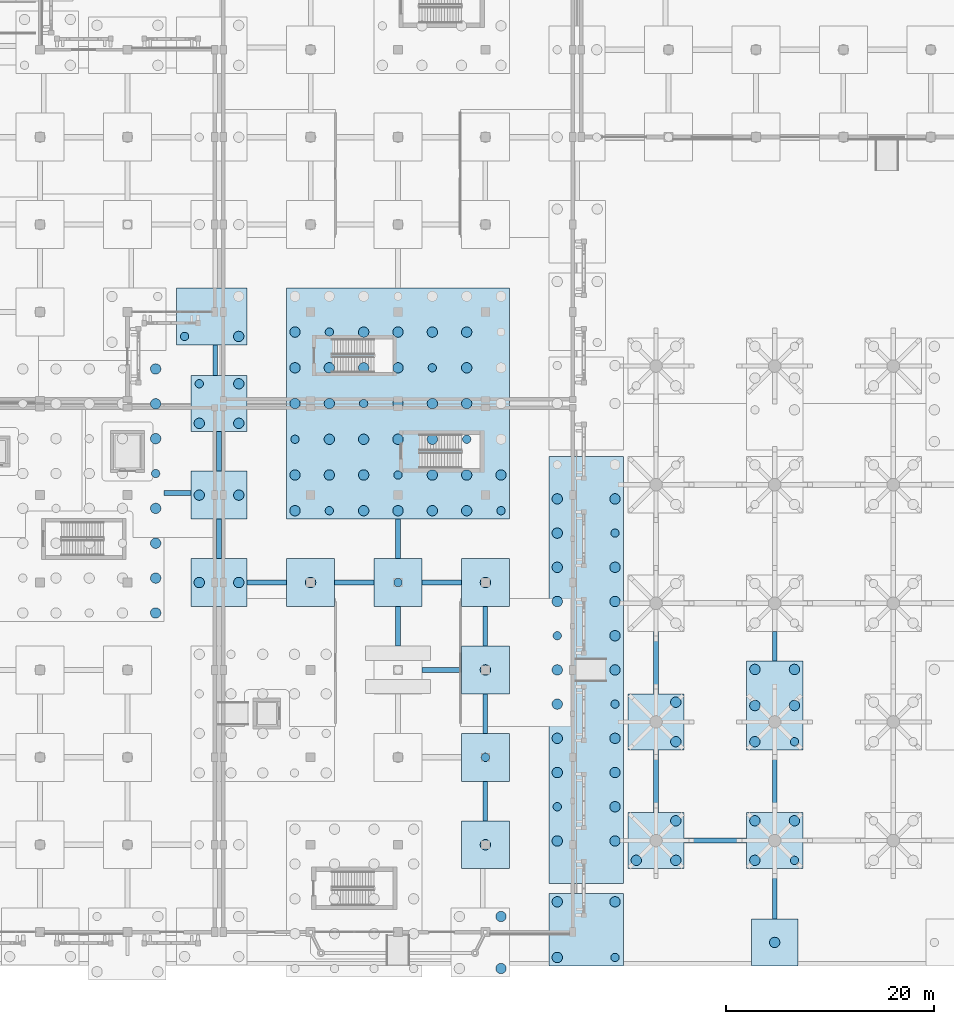
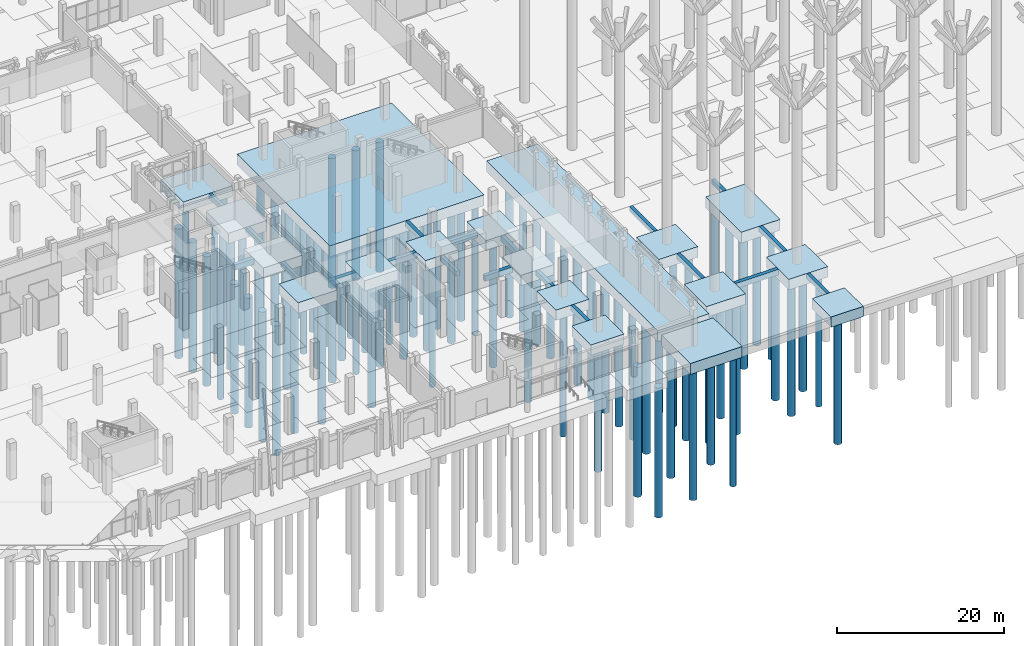
# One storey, part 3 of 98: 106 piles, 37 footings.
"""IFC4 building model written with IfcOpenShell, lengths in metres."""

import ifcopenshell
import ifcopenshell.guid

model = None  # the IFC model being written
_history = None  # IfcOwnerHistory: only IFC2X3 demands one
_inside = {}  # id of a spatial element -> (the spatial element, [elements in it])
_under = {}  # id of a project, library or spatial element -> (it, [spatial elements below it])
_declared = {}  # id of a project -> (the project, [libraries it declares])
_typed = {}  # id of a type object -> (the type object, [elements of that type])
_made_of = {}  # id of a material, layer set ... -> (it, [elements and type objects made of it])


def new_model(schema):
    """Start an empty IFC model of exactly this schema.

    Asked for "IFC4X3", IfcOpenShell would pick the latest addendum, in which some entities
    have other attributes; the version numbers below select the first issue.
    IFC2X3 requires an IfcOwnerHistory on every rooted entity: one is made here for all.
    """
    global model, _history
    if schema == "IFC4X3":
        model = ifcopenshell.file(schema_version=(4, 3, 0, 0))
    else:
        model = ifcopenshell.file(schema=schema)
    _inside.clear()
    _under.clear()
    _declared.clear()
    _typed.clear()
    _made_of.clear()
    _history = None
    if model.schema == "IFC2X3":
        org = make("IfcOrganization", Name="unknown")
        user = make(
            "IfcPersonAndOrganization",
            ThePerson=make("IfcPerson", FamilyName="unknown"),
            TheOrganization=org,
        )
        app = make(
            "IfcApplication",
            ApplicationDeveloper=org,
            Version="unknown",
            ApplicationFullName="unknown",
            ApplicationIdentifier="unknown",
        )
        _history = make(
            "IfcOwnerHistory",
            OwningUser=user,
            OwningApplication=app,
            ChangeAction="ADDED",
            CreationDate=0,
        )
    return model


def make(cls, **values):
    """One entity of the class cls with the attributes given. An attribute that is None is left unset."""
    return model.create_entity(
        cls, **{name: value for name, value in values.items() if value is not None}
    )


def rooted(cls, **values):
    """An entity with a GlobalId (a new one), such as an element, a storey or a relation."""
    return make(cls, GlobalId=ifcopenshell.guid.new(), OwnerHistory=_history, **values)


def si_unit(unit_type, name, prefix=None):
    """IfcSIUnit, for example si_unit("LENGTHUNIT", "METRE", prefix="MILLI")."""
    return make("IfcSIUnit", UnitType=unit_type, Prefix=prefix, Name=name)


def assignment(units):
    """IfcUnitAssignment: the units of a project."""
    return None if units is None else make("IfcUnitAssignment", Units=units)


def point(xyz):
    """IfcCartesianPoint."""
    return None if xyz is None else make("IfcCartesianPoint", Coordinates=xyz)


def direction(xyz):
    """IfcDirection."""
    return None if xyz is None else make("IfcDirection", DirectionRatios=xyz)


def frame(location, z_axis=None, x_axis=None):
    """IfcAxis2Placement3D, a coordinate frame: its origin and axes. An axis left out is left unset."""
    return make(
        "IfcAxis2Placement3D",
        Location=point(location),
        Axis=direction(z_axis),
        RefDirection=direction(x_axis),
    )


def frame_2d(location, x_axis=None):
    """IfcAxis2Placement2D, a coordinate frame in the plane: its origin and x axis."""
    return make(
        "IfcAxis2Placement2D", Location=point(location), RefDirection=direction(x_axis)
    )


def origin():
    """The frame at (0, 0, 0) with its axes left unset."""
    return frame((0.0, 0.0, 0.0))


def origin_2d():
    """The frame at (0, 0) in the plane with its x axis left unset."""
    return frame_2d((0.0, 0.0))


def place(relative_to, where):
    """IfcLocalPlacement: puts the frame where relative to a parent placement (None: the world)."""
    return make(
        "IfcLocalPlacement", PlacementRelTo=relative_to, RelativePlacement=where
    )


def context(
    kind, dimensions, precision=None, world=None, true_north=None, identifier=None
):
    """IfcGeometricRepresentationContext, for example the 3D "Model" context."""
    return make(
        "IfcGeometricRepresentationContext",
        ContextIdentifier=identifier,
        ContextType=kind,
        CoordinateSpaceDimension=dimensions,
        Precision=precision,
        WorldCoordinateSystem=world,
        TrueNorth=true_north,
    )


def subcontext(parent, identifier, kind, view, scale=None):
    """IfcGeometricRepresentationSubContext, for example "Body" below "Model"."""
    return make(
        "IfcGeometricRepresentationSubContext",
        ContextIdentifier=identifier,
        ContextType=kind,
        ParentContext=parent,
        TargetScale=scale,
        TargetView=view,
    )


def project(units=None, contexts=None):
    """IfcProject with its units and contexts."""
    return rooted(
        "IfcProject",
        Name="project",
        RepresentationContexts=contexts,
        UnitsInContext=assignment(units),
    )


def spatial(cls, under=None, at=None, **own):
    """A site, building, storey or space (cls), placed at a placement, below another one or the project."""
    s = rooted(cls, ObjectPlacement=at, **own)
    if under is not None:
        _under.setdefault(under.id(), (under, []))[1].append(s)
    return s


def profile(cls, at=None, kind="AREA", **sizes):
    """A parametric profile (cls). Its sizes go by their IFC names, for example OverallWidth=200.0."""
    return make(cls, ProfileType=kind, Position=at, **sizes)


def rectangle(**sizes):
    """IfcRectangleProfileDef."""
    return profile("IfcRectangleProfileDef", **sizes)


def circle(**sizes):
    """IfcCircleProfileDef."""
    return profile("IfcCircleProfileDef", **sizes)


def extrude(swept, where, along, depth):
    """IfcExtrudedAreaSolid: the profile swept, set in the frame where, extruded along a direction by depth."""
    return make(
        "IfcExtrudedAreaSolid",
        SweptArea=swept,
        Position=where,
        ExtrudedDirection=direction(along),
        Depth=depth,
    )


def shape(context_of_items, identifier, shape_type, items):
    """IfcShapeRepresentation: the items that make up one representation, for example the "Body"."""
    return make(
        "IfcShapeRepresentation",
        ContextOfItems=context_of_items,
        RepresentationIdentifier=identifier,
        RepresentationType=shape_type,
        Items=items,
    )


def material(Name=None, Category=None):
    """IfcMaterial."""
    return make("IfcMaterial", Name=Name, Category=Category)


def material_profile(
    of_material, cross_section, Name=None, Category=None, Priority=None
):
    """IfcMaterialProfile: a cross section and its material."""
    return make(
        "IfcMaterialProfile",
        Name=Name,
        Material=of_material,
        Profile=cross_section,
        Priority=Priority,
        Category=Category,
    )


def profile_set(profiles, Name=None, composite=None):
    """IfcMaterialProfileSet."""
    return make(
        "IfcMaterialProfileSet",
        Name=Name,
        MaterialProfiles=profiles,
        CompositeProfile=composite,
    )


def made_of(thing, what):
    """Note that an element or type object is made of a material, layer set ...; save() writes the relation."""
    if what is not None:
        _made_of.setdefault(what.id(), (what, []))[1].append(thing)
    return thing


def type_object(cls, material=None, **own):
    """A type object (cls), such as IfcWallType, which elements share."""
    return made_of(rooted(cls, **own), material)


def element(
    cls,
    number,
    at=None,
    inside=None,
    cuts=None,
    type_object=None,
    material=None,
    context=None,
    identifier="Body",
    shape_type=None,
    held_by="IfcProductDefinitionShape",
    body=None,
    shapes=None,
    **own,
):
    """One element of the class cls, such as IfcWall. Its Tag is "e" and its number.

    at: its placement. inside: the storey or other place that contains it. cuts: it is an
    opening in that element (IfcRelVoidsElement). A single representation is given by context,
    identifier, shape_type and body (its items); several are given by shapes. held_by: the class
    of the entity that holds the representations. save() writes the other relations.
    """
    e = rooted(cls, Tag="e%d" % number, ObjectPlacement=at, **own)
    if body is not None:
        shapes = [shape(context, identifier, shape_type, body)]
    if shapes is not None:
        e.Representation = make(held_by, Representations=shapes)
    if inside is not None:
        _inside.setdefault(inside.id(), (inside, []))[1].append(e)
    if cuts is not None:
        rooted(
            "IfcRelVoidsElement", RelatingBuildingElement=cuts, RelatedOpeningElement=e
        )
    if type_object is not None:
        _typed.setdefault(type_object.id(), (type_object, []))[1].append(e)
    return made_of(e, material)


def aggregate(whole, parts):
    """IfcRelAggregates: a whole, such as a stair, and the parts it consists of."""
    return rooted("IfcRelAggregates", RelatingObject=whole, RelatedObjects=parts)


def save(model, path):
    """Write the relations noted so far, then the file.

    IfcRelAggregates (storeys below a building ...), IfcRelContainedInSpatialStructure (elements
    in a storey), IfcRelDefinesByType, IfcRelAssociatesMaterial and IfcRelDeclares: one each for
    every whole, place, type object, material and project.
    """
    for whole, parts in _under.values():
        aggregate(whole, parts)
    for where, things in _inside.values():
        rooted(
            "IfcRelContainedInSpatialStructure",
            RelatedElements=things,
            RelatingStructure=where,
        )
    for kind, things in _typed.values():
        rooted("IfcRelDefinesByType", RelatedObjects=things, RelatingType=kind)
    for what, things in _made_of.values():
        rooted("IfcRelAssociatesMaterial", RelatedObjects=things, RelatingMaterial=what)
    for by, libraries in _declared.values():
        rooted("IfcRelDeclares", RelatingContext=by, RelatedDefinitions=libraries)
    model.write(path)


model = new_model("IFC4")

# Units and contexts
model_context = context("Model", 3, precision=1e-05, world=origin(), true_north=direction((0.0, 1.0)))
body_context = subcontext(model_context, "Body", "Model", "MODEL_VIEW")
ifc_project = project(units=[si_unit("LENGTHUNIT", "METRE"), si_unit("AREAUNIT", "SQUARE_METRE"), si_unit("VOLUMEUNIT", "CUBIC_METRE"), si_unit("PLANEANGLEUNIT", "RADIAN"), si_unit("MASSUNIT", "GRAM", prefix="KILO")], contexts=[model_context])

# Site, building, storey
site_placement = place(None, origin())
site = spatial("IfcSite", under=ifc_project, at=site_placement, CompositionType="ELEMENT")
building_placement = place(site_placement, origin())
building = spatial("IfcBuilding", under=site, at=building_placement, Name="Xazarin Passage Department Store", CompositionType="ELEMENT")
storey_placement = place(building_placement, origin())
storey = spatial("IfcBuildingStorey", under=building, at=storey_placement, Name="L00", CompositionType="ELEMENT", Elevation=0.0)

# Footings
ifc_material = material(Name="Concrete C35/45", Category="concrete")
footing_type_1 = type_object("IfcFootingType", Name="STR-CAP-PC10", PredefinedType="PILE_CAP", material=ifc_material)
footing_1_placement = place(storey_placement, frame((102.8798828125, 25.199951171875, -1.60009765625), z_axis=(0.0, 0.0, 1.0), x_axis=(0.0, 1.0, 0.0)))
element("IfcFooting", 1, at=footing_1_placement, inside=storey, type_object=footing_type_1, Name="Pile Cap 018", PredefinedType="PILE_CAP", context=body_context, shape_type="SweptSolid", body=[
    extrude(rectangle(XDim=41.050048828125, YDim=7.14990234375, at=origin_2d()), origin(), (0.0, 0.0, 1.0), 1.60009765625),
])
footing_type_2 = type_object("IfcFootingType", Name="STR-CAP-PC11", PredefinedType="PILE_CAP", material=ifc_material)
for number, where, z_axis, x_axis, name in (
    (2, (93.199951171875, 8.39990234375, -1.5), (0.0, 0.0, 1.0), (1.0, 0.0, 0.0), "Pile Cap 025"),
    (3, (93.199951171875, 16.800048828125, -1.5), (0.0, 0.0, 1.0), (1.0, 0.0, 0.0), "Pile Cap 039"),
    (4, (93.199951171875, 25.199951171875, -1.5), (0.0, 0.0, 1.0), (1.0, 0.0, 0.0), "Pile Cap 055"),
    (5, (76.39990234375, 33.60009765625, -1.5), (0.0, 0.0, 1.0), (1.0, 0.0, 0.0), "Pile Cap 063"),
    (6, (84.800048828125, 33.60009765625, -1.5), (0.0, 0.0, 1.0), (1.0, 0.0, 0.0), "Pile Cap 064"),
    (7, (93.199951171875, 33.60009765625, -1.5), (0.0, 0.0, 1.0), (1.0, 0.0, 0.0), "Pile Cap 065"),
):
    element("IfcFooting", number, at=place(storey_placement, frame(where, z_axis=z_axis, x_axis=x_axis)), inside=storey, type_object=footing_type_2, Name=name, PredefinedType="PILE_CAP", context=body_context, shape_type="SweptSolid", body=[
        extrude(rectangle(XDim=4.60009765625, YDim=4.60009765625, at=origin_2d()), origin(), (0.0, 0.0, 1.0), 1.5),
    ])
footing_type_3 = type_object("IfcFootingType", Name="STR-CAP-PC13", PredefinedType="PILE_CAP", material=ifc_material)
for number, where, z_axis, x_axis, name in (
    (8, (67.60009765625, 33.60009765625, -1.5498046875), (0.0, 0.0, 1.0), (1.0, 0.0, 0.0), "Pile Cap 062"),
    (9, (67.60009765625, 42.0, -1.5498046875), (0.0, 0.0, 1.0), (1.0, 0.0, 0.0), "Pile Cap 066"),
):
    element("IfcFooting", number, at=place(storey_placement, frame(where, z_axis=z_axis, x_axis=x_axis)), inside=storey, type_object=footing_type_3, Name=name, PredefinedType="PILE_CAP", context=body_context, shape_type="SweptSolid", body=[
        extrude(rectangle(XDim=5.39990234375, YDim=4.60009765625, at=origin_2d()), origin(), (0.0, 0.0, 1.0), 1.550048828125),
    ])
footing_type_4 = type_object("IfcFootingType", Name="STR-CAP-PC14", PredefinedType="PILE_CAP", material=ifc_material)
for number, where, z_axis, x_axis, name in (
    (10, (109.60009765625, 8.800048828125, -1.5498046875), (0.0, 0.0, 1.0), (1.0, 0.0, 0.0), "Pile Cap 026"),
    (11, (121.0, 8.800048828125, -1.5498046875), (0.0, 0.0, 1.0), (1.0, 0.0, 0.0), "Pile Cap 027"),
    (12, (109.60009765625, 20.199951171875, -1.5498046875), (0.0, 0.0, 1.0), (1.0, 0.0, 0.0), "Pile Cap 040"),
    (13, (67.60009765625, 50.800048828125, -1.5498046875), (0.0, 0.0, 1.0), (1.0, 0.0, 0.0), "Pile Cap 078"),
):
    element("IfcFooting", number, at=place(storey_placement, frame(where, z_axis=z_axis, x_axis=x_axis)), inside=storey, type_object=footing_type_4, Name=name, PredefinedType="PILE_CAP", context=body_context, shape_type="SweptSolid", body=[
        extrude(rectangle(XDim=5.39990234375, YDim=5.39990234375, at=origin_2d()), origin(), (0.0, 0.0, 1.0), 1.550048828125),
    ])
footing_type_5 = type_object("IfcFootingType", Name="STR-CAP-PC17", PredefinedType="PILE_CAP", material=ifc_material)
footing_2_placement = place(storey_placement, frame((121.0, 21.77490234375, -1.60009765625), z_axis=(0.0, 0.0, 1.0), x_axis=(0.0, 1.0, 0.0)))
element("IfcFooting", 14, at=footing_2_placement, inside=storey, type_object=footing_type_5, Name="Pile Cap 041", PredefinedType="PILE_CAP", context=body_context, shape_type="SweptSolid", body=[
    extrude(rectangle(XDim=8.550048828125, YDim=5.39990234375, at=origin_2d()), origin(), (0.0, 0.0, 1.0), 1.60009765625),
])
footing_type_6 = type_object("IfcFootingType", Name="STR-CAP-PC21", PredefinedType="PILE_CAP", material=ifc_material)
footing_3_placement = place(storey_placement, frame((84.800048828125, 50.800048828125, -1.60009765625), z_axis=(0.0, 0.0, 1.0), x_axis=(0.0, 1.0, 0.0)))
element("IfcFooting", 15, at=footing_3_placement, inside=storey, type_object=footing_type_6, Name="Pile Cap 067", PredefinedType="PILE_CAP", context=body_context, shape_type="SweptSolid", body=[
    extrude(rectangle(XDim=22.199951171875, YDim=21.39990234375, at=origin_2d()), origin(), (0.0, 0.0, 1.0), 1.60009765625),
])
footing_type_7 = type_object("IfcFootingType", Name="STR-CAP-PC4", PredefinedType="PILE_CAP", material=ifc_material)
footing_4_placement = place(storey_placement, frame((121.0, -0.989990234375, -1.5), z_axis=(0.0, 0.0, 1.0), x_axis=(1.0, 0.0, 0.0)))
element("IfcFooting", 16, at=footing_4_placement, inside=storey, type_object=footing_type_7, Name="Pile Cap 008", PredefinedType="PILE_CAP", context=body_context, shape_type="SweptSolid", body=[
    extrude(rectangle(XDim=4.5, YDim=4.5, at=origin_2d()), origin(), (0.0, 0.0, 1.0), 1.5),
])
footing_type_8 = type_object("IfcFootingType", Name="STR-CAP-PC5", PredefinedType="PILE_CAP", material=ifc_material)
footing_5_placement = place(storey_placement, frame((102.8798828125, 0.239990234375, -1.60009765625), z_axis=(0.0, 0.0, 1.0), x_axis=(1.0, 0.0, 0.0)))
element("IfcFooting", 17, at=footing_5_placement, inside=storey, type_object=footing_type_8, Name="Pile Cap 007", PredefinedType="PILE_CAP", context=body_context, shape_type="SweptSolid", body=[
    extrude(rectangle(XDim=7.14990234375, YDim=6.949951171875, at=origin_2d()), origin(), (0.0, 0.0, 1.0), 1.60009765625),
])
footing_type_9 = type_object("IfcFootingType", Name="STR-CAP-PC9", PredefinedType="PILE_CAP", material=ifc_material)
footing_6_placement = place(storey_placement, frame((66.889892578125, 59.175048828125, -1.5498046875), z_axis=(0.0, 0.0, 1.0), x_axis=(1.0, 0.0, 0.0)))
element("IfcFooting", 18, at=footing_6_placement, inside=storey, type_object=footing_type_9, Name="Pile Cap 084", PredefinedType="PILE_CAP", context=body_context, shape_type="SweptSolid", body=[
    extrude(rectangle(XDim=6.800048828125, YDim=5.449951171875, at=origin_2d()), origin(), (0.0, 0.0, 1.0), 1.550048828125),
])
ifc_material_profile_1 = material_profile(ifc_material, rectangle(XDim=0.449951171875, YDim=0.699951171875, at=origin_2d()), Name="RC 450x700")
ifc_profile_set_1 = profile_set([ifc_material_profile_1], Name="Concrete C35/45")
footing_type_10 = type_object("IfcFootingType", Name="STR-FTG-TB450x700", PredefinedType="FOOTING_BEAM", material=ifc_profile_set_1)
footing_7_placement = place(storey_placement, frame((121.0, 1.260009765625, -0.35009765625), z_axis=(0.0, 1.0, 0.0), x_axis=(-1.0, 0.0, 0.0)))
element("IfcFooting", 19, at=footing_7_placement, inside=storey, type_object=footing_type_10, Name="Ground Tie Beam 004", PredefinedType="FOOTING_BEAM", context=body_context, shape_type="SweptSolid", body=[
    extrude(rectangle(XDim=0.449951171875, YDim=0.699951171875, at=origin_2d()), origin(), (0.0, 0.0, 1.0), 4.840087890625),
])
footing_8_placement = place(storey_placement, frame((93.199951171875, 10.699951171875, -0.35009765625), z_axis=(0.0, 1.0, 0.0), x_axis=(-1.0, 0.0, 0.0)))
element("IfcFooting", 20, at=footing_8_placement, inside=storey, type_object=footing_type_10, Name="Ground Tie Beam 016", PredefinedType="FOOTING_BEAM", context=body_context, shape_type="SweptSolid", body=[
    extrude(rectangle(XDim=0.449951171875, YDim=0.699951171875, at=origin_2d()), origin(), (0.0, 0.0, 1.0), 3.800048828125),
])
for number, where, z_axis, x_axis, name in (
    (21, (109.60009765625, 11.5, -0.35009765625), (0.0, 1.0, 0.0), (-1.0, 0.0, 0.0), "Ground Tie Beam 018"),
    (22, (121.0, 11.5, -0.35009765625), (0.0, 1.0, 0.0), (-1.0, 0.0, 0.0), "Ground Tie Beam 020"),
):
    element("IfcFooting", number, at=place(storey_placement, frame(where, z_axis=z_axis, x_axis=x_axis)), inside=storey, type_object=footing_type_10, Name=name, PredefinedType="FOOTING_BEAM", context=body_context, shape_type="SweptSolid", body=[
        extrude(rectangle(XDim=0.449951171875, YDim=0.699951171875, at=origin_2d()), origin(), (0.0, 0.0, 1.0), 6.0),
    ])
footing_9_placement = place(storey_placement, frame((93.199951171875, 19.10009765625, -0.35009765625), z_axis=(0.0, 1.0, 0.0), x_axis=(-1.0, 0.0, 0.0)))
element("IfcFooting", 23, at=footing_9_placement, inside=storey, type_object=footing_type_10, Name="Ground Tie Beam 035", PredefinedType="FOOTING_BEAM", context=body_context, shape_type="SweptSolid", body=[
    extrude(rectangle(XDim=0.449951171875, YDim=0.699951171875, at=origin_2d()), origin(), (0.0, 0.0, 1.0), 3.7998046875),
])
footing_10_placement = place(storey_placement, frame((109.60009765625, 22.89990234375, -0.35009765625), z_axis=(0.0, 1.0, 0.0), x_axis=(-1.0, 0.0, 0.0)))
element("IfcFooting", 24, at=footing_10_placement, inside=storey, type_object=footing_type_10, Name="Ground Tie Beam 036", PredefinedType="FOOTING_BEAM", context=body_context, shape_type="SweptSolid", body=[
    extrude(rectangle(XDim=0.449951171875, YDim=0.699951171875, at=origin_2d()), origin(), (0.0, 0.0, 1.0), 6.0),
])
footing_11_placement = place(storey_placement, frame((121.0, 26.050048828125, -0.35009765625), z_axis=(0.0, 1.0, 0.0), x_axis=(-1.0, 0.0, 0.0)))
element("IfcFooting", 25, at=footing_11_placement, inside=storey, type_object=footing_type_10, Name="Ground Tie Beam 037", PredefinedType="FOOTING_BEAM", context=body_context, shape_type="SweptSolid", body=[
    extrude(rectangle(XDim=0.449951171875, YDim=0.699951171875, at=origin_2d()), origin(), (0.0, 0.0, 1.0), 2.849853515625),
])
for number, where, z_axis, x_axis, name in (
    (26, (84.800048828125, 27.5, -0.35009765625), (0.0, 1.0, 0.0), (-1.0, 0.0, 0.0), "Ground Tie Beam 049"),
    (27, (93.199951171875, 27.5, -0.35009765625), (0.0, 1.0, 0.0), (-1.0, 0.0, 0.0), "Ground Tie Beam 050"),
    (28, (67.60009765625, 35.89990234375, -0.35009765625), (0.0, 1.0, 0.0), (-1.0, 0.0, 0.0), "Ground Tie Beam 062"),
    (29, (84.800048828125, 35.89990234375, -0.35009765625), (0.0, 1.0, 0.0), (-1.0, 0.0, 0.0), "Ground Tie Beam 065"),
    (30, (67.60009765625, 44.300048828125, -0.35009765625), (0.0, 1.0, 0.0), (-1.0, 0.0, 0.0), "Ground Tie Beam 066"),
):
    element("IfcFooting", number, at=place(storey_placement, frame(where, z_axis=z_axis, x_axis=x_axis)), inside=storey, type_object=footing_type_10, Name=name, PredefinedType="FOOTING_BEAM", context=body_context, shape_type="SweptSolid", body=[
        extrude(rectangle(XDim=0.449951171875, YDim=0.699951171875, at=origin_2d()), origin(), (0.0, 0.0, 1.0), 3.800048828125),
    ])
footing_12_placement = place(storey_placement, frame((67.2451171875, 53.5, -0.35009765625), z_axis=(0.0, 1.0, 0.0), x_axis=(-1.0, 0.0, 0.0)))
element("IfcFooting", 31, at=footing_12_placement, inside=storey, type_object=footing_type_10, Name="Ground Tie Beam 076", PredefinedType="FOOTING_BEAM", context=body_context, shape_type="SweptSolid", body=[
    extrude(rectangle(XDim=0.449951171875, YDim=0.699951171875, at=origin_2d()), origin(), (0.0, 0.0, 1.0), 2.949951171875),
])
ifc_material_profile_2 = material_profile(ifc_material, rectangle(XDim=0.5, YDim=0.800048828125, at=origin_2d()), Name="RC 500x800")
ifc_profile_set_2 = profile_set([ifc_material_profile_2], Name="Concrete C35/45")
footing_type_11 = type_object("IfcFootingType", Name="STR-FTG-TB500x800", PredefinedType="FOOTING_BEAM", material=ifc_profile_set_2)
footing_13_placement = place(storey_placement, frame((112.300048828125, 8.800048828125, -0.39990234375), z_axis=(1.0, 0.0, 0.0), x_axis=(0.0, 1.0, 0.0)))
element("IfcFooting", 32, at=footing_13_placement, inside=storey, type_object=footing_type_11, Name="Ground Tie Beam 017", PredefinedType="FOOTING_BEAM", context=body_context, shape_type="SweptSolid", body=[
    extrude(rectangle(XDim=0.5, YDim=0.800048828125, at=origin_2d()), origin(), (0.0, 0.0, 1.0), 6.0),
])
footing_14_placement = place(storey_placement, frame((87.10009765625, 25.199951171875, -0.39990234375), z_axis=(1.0, 0.0, 0.0), x_axis=(0.0, 1.0, 0.0)))
element("IfcFooting", 33, at=footing_14_placement, inside=storey, type_object=footing_type_11, Name="Ground Tie Beam 048", PredefinedType="FOOTING_BEAM", context=body_context, shape_type="SweptSolid", body=[
    extrude(rectangle(XDim=0.5, YDim=0.800048828125, at=origin_2d()), origin(), (0.0, 0.0, 1.0), 3.7998046875),
])
footing_15_placement = place(storey_placement, frame((62.31005859375, 42.199951171875, -0.39990234375), z_axis=(1.0, 0.0, 0.0), x_axis=(0.0, 1.0, 0.0)))
element("IfcFooting", 34, at=footing_15_placement, inside=storey, type_object=footing_type_11, Name="Ground Tie Beam 060", PredefinedType="FOOTING_BEAM", context=body_context, shape_type="SweptSolid", body=[
    extrude(rectangle(XDim=0.5, YDim=0.800048828125, at=origin_2d()), origin(), (0.0, 0.0, 1.0), 2.58984375),
])
for number, where, z_axis, x_axis, name in (
    (35, (70.300048828125, 33.60009765625, -0.39990234375), (1.0, 0.0, 0.0), (0.0, 1.0, 0.0), "Ground Tie Beam 061"),
    (36, (78.699951171875, 33.60009765625, -0.39990234375), (1.0, 0.0, 0.0), (0.0, 1.0, 0.0), "Ground Tie Beam 063"),
):
    element("IfcFooting", number, at=place(storey_placement, frame(where, z_axis=z_axis, x_axis=x_axis)), inside=storey, type_object=footing_type_11, Name=name, PredefinedType="FOOTING_BEAM", context=body_context, shape_type="SweptSolid", body=[
        extrude(rectangle(XDim=0.5, YDim=0.800048828125, at=origin_2d()), origin(), (0.0, 0.0, 1.0), 3.800048828125),
    ])
footing_16_placement = place(storey_placement, frame((87.10009765625, 33.60009765625, -0.39990234375), z_axis=(1.0, 0.0, 0.0), x_axis=(0.0, 1.0, 0.0)))
element("IfcFooting", 37, at=footing_16_placement, inside=storey, type_object=footing_type_11, Name="Ground Tie Beam 064", PredefinedType="FOOTING_BEAM", context=body_context, shape_type="SweptSolid", body=[
    extrude(rectangle(XDim=0.5, YDim=0.800048828125, at=origin_2d()), origin(), (0.0, 0.0, 1.0), 3.7998046875),
])

# Piles
ifc_material_profile_3 = material_profile(ifc_material, circle(Radius=0.5, at=origin_2d()), Name="BP 1000")
ifc_profile_set_3 = profile_set([ifc_material_profile_3], Name="Concrete C35/45")
pile_type_1 = type_object("IfcPileType", Name="STR-PIL-BP1000", PredefinedType="BORED", material=ifc_profile_set_3)
for number, where, z_axis, x_axis, name in (
    (38, (94.699951171875, -3.5, -1.449951171875), (0.0, 0.0, -1.0), (1.0, 0.0, 0.0), "Bored Pile 005-3"),
    (39, (94.699951171875, 1.5, -1.449951171875), (0.0, 0.0, -1.0), (1.0, 0.0, 0.0), "Bored Pile 005-4"),
):
    element("IfcPile", number, at=place(storey_placement, frame(where, z_axis=z_axis, x_axis=x_axis)), inside=storey, type_object=pile_type_1, Name=name, PredefinedType="BORED", context=body_context, shape_type="SweptSolid", body=[
        extrude(circle(Radius=0.5, at=origin_2d()), origin(), (0.0, 0.0, 1.0), 19.050048828125),
    ])
for number, where, z_axis, x_axis, name in (
    (40, (100.10498046875, -2.43505859375, -1.5), (0.0, 0.0, -1.0), (1.0, 0.0, 0.0), "Bored Pile 007-1"),
    (41, (100.10498046875, 2.9150390625, -1.5), (0.0, 0.0, -1.0), (1.0, 0.0, 0.0), "Bored Pile 007-2"),
    (42, (105.655029296875, 2.9150390625, -1.5), (0.0, 0.0, -1.0), (1.0, 0.0, 0.0), "Bored Pile 007-4"),
):
    element("IfcPile", number, at=place(storey_placement, frame(where, z_axis=z_axis, x_axis=x_axis)), inside=storey, type_object=pile_type_1, Name=name, PredefinedType="BORED", context=body_context, shape_type="SweptSolid", body=[
        extrude(circle(Radius=0.5, at=origin_2d()), origin(), (0.0, 0.0, 1.0), 19.0),
    ])
pile_1_placement = place(storey_placement, frame((121.0, -0.989990234375, -1.39990234375), z_axis=(0.0, 0.0, -1.0), x_axis=(1.0, 0.0, 0.0)))
element("IfcPile", 43, at=pile_1_placement, inside=storey, type_object=pile_type_1, Name="Bored Pile 008-1", PredefinedType="BORED", context=body_context, shape_type="SweptSolid", body=[
    extrude(circle(Radius=0.5, at=origin_2d()), origin(), (0.0, 0.0, 1.0), 19.10009765625),
])
for number, where, z_axis, x_axis, name in (
    (44, (100.10498046875, 8.762451171875, -1.5), (0.0, 0.0, -1.0), (1.0, 0.0, 0.0), "Bored Pile 018-1"),
    (45, (100.10498046875, 15.33740234375, -1.5), (0.0, 0.0, -1.0), (1.0, 0.0, 0.0), "Bored Pile 018-3"),
    (46, (100.10498046875, 18.625, -1.5), (0.0, 0.0, -1.0), (1.0, 0.0, 0.0), "Bored Pile 018-4"),
    (47, (100.10498046875, 21.91259765625, -1.5), (0.0, 0.0, -1.0), (1.0, 0.0, 0.0), "Bored Pile 018-5"),
    (48, (100.10498046875, 25.199951171875, -1.5), (0.0, 0.0, -1.0), (1.0, 0.0, 0.0), "Bored Pile 018-6"),
    (49, (100.10498046875, 31.77490234375, -1.5), (0.0, 0.0, -1.0), (1.0, 0.0, 0.0), "Bored Pile 018-8"),
    (50, (100.10498046875, 35.0625, -1.5), (0.0, 0.0, -1.0), (1.0, 0.0, 0.0), "Bored Pile 018-9"),
    (51, (100.10498046875, 38.35009765625, -1.5), (0.0, 0.0, -1.0), (1.0, 0.0, 0.0), "Bored Pile 018-10"),
    (52, (100.10498046875, 41.637451171875, -1.5), (0.0, 0.0, -1.0), (1.0, 0.0, 0.0), "Bored Pile 018-11"),
    (53, (105.655029296875, 8.762451171875, -1.5), (0.0, 0.0, -1.0), (1.0, 0.0, 0.0), "Bored Pile 018-13"),
    (54, (105.655029296875, 12.050048828125, -1.5), (0.0, 0.0, -1.0), (1.0, 0.0, 0.0), "Bored Pile 018-14"),
    (55, (105.655029296875, 15.33740234375, -1.5), (0.0, 0.0, -1.0), (1.0, 0.0, 0.0), "Bored Pile 018-15"),
    (56, (105.655029296875, 18.625, -1.5), (0.0, 0.0, -1.0), (1.0, 0.0, 0.0), "Bored Pile 018-16"),
    (57, (105.655029296875, 25.199951171875, -1.5), (0.0, 0.0, -1.0), (1.0, 0.0, 0.0), "Bored Pile 018-18"),
    (58, (105.655029296875, 28.487548828125, -1.5), (0.0, 0.0, -1.0), (1.0, 0.0, 0.0), "Bored Pile 018-19"),
    (59, (105.655029296875, 31.77490234375, -1.5), (0.0, 0.0, -1.0), (1.0, 0.0, 0.0), "Bored Pile 018-20"),
    (60, (105.655029296875, 35.0625, -1.5), (0.0, 0.0, -1.0), (1.0, 0.0, 0.0), "Bored Pile 018-21"),
    (61, (105.655029296875, 41.637451171875, -1.5), (0.0, 0.0, -1.0), (1.0, 0.0, 0.0), "Bored Pile 018-23"),
):
    element("IfcPile", number, at=place(storey_placement, frame(where, z_axis=z_axis, x_axis=x_axis)), inside=storey, type_object=pile_type_1, Name=name, PredefinedType="BORED", context=body_context, shape_type="SweptSolid", body=[
        extrude(circle(Radius=0.5, at=origin_2d()), origin(), (0.0, 0.0, 1.0), 19.0),
    ])
pile_2_placement = place(storey_placement, frame((93.199951171875, 8.39990234375, -1.39990234375), z_axis=(0.0, 0.0, -1.0), x_axis=(1.0, 0.0, 0.0)))
element("IfcPile", 62, at=pile_2_placement, inside=storey, type_object=pile_type_1, Name="Bored Pile 025-1", PredefinedType="BORED", context=body_context, shape_type="SweptSolid", body=[
    extrude(circle(Radius=0.5, at=origin_2d()), origin(), (0.0, 0.0, 1.0), 19.10009765625),
])
for number, where, z_axis, x_axis, name in (
    (63, (107.699951171875, 6.89990234375, -1.449951171875), (0.0, 0.0, -1.0), (1.0, 0.0, 0.0), "Bored Pile 026-1"),
    (64, (111.5, 6.89990234375, -1.449951171875), (0.0, 0.0, -1.0), (1.0, 0.0, 0.0), "Bored Pile 026-2"),
    (65, (111.5, 10.699951171875, -1.449951171875), (0.0, 0.0, -1.0), (1.0, 0.0, 0.0), "Bored Pile 026-3"),
    (66, (119.10009765625, 6.89990234375, -1.449951171875), (0.0, 0.0, -1.0), (1.0, 0.0, 0.0), "Bored Pile 027-1"),
    (67, (119.10009765625, 10.699951171875, -1.449951171875), (0.0, 0.0, -1.0), (1.0, 0.0, 0.0), "Bored Pile 027-2"),
    (68, (122.89990234375, 10.699951171875, -1.449951171875), (0.0, 0.0, -1.0), (1.0, 0.0, 0.0), "Bored Pile 027-4"),
    (69, (111.5, 18.300048828125, -1.449951171875), (0.0, 0.0, -1.0), (1.0, 0.0, 0.0), "Bored Pile 040-1"),
    (70, (111.5, 22.10009765625, -1.449951171875), (0.0, 0.0, -1.0), (1.0, 0.0, 0.0), "Bored Pile 040-2"),
):
    element("IfcPile", number, at=place(storey_placement, frame(where, z_axis=z_axis, x_axis=x_axis)), inside=storey, type_object=pile_type_1, Name=name, PredefinedType="BORED", context=body_context, shape_type="SweptSolid", body=[
        extrude(circle(Radius=0.5, at=origin_2d()), origin(), (0.0, 0.0, 1.0), 19.050048828125),
    ])
for number, where, z_axis, x_axis, name in (
    (71, (119.10009765625, 18.300048828125, -1.5), (0.0, 0.0, -1.0), (1.0, 0.0, 0.0), "Bored Pile 041-1"),
    (72, (119.10009765625, 21.77490234375, -1.5), (0.0, 0.0, -1.0), (1.0, 0.0, 0.0), "Bored Pile 041-2"),
    (73, (119.10009765625, 25.25, -1.5), (0.0, 0.0, -1.0), (1.0, 0.0, 0.0), "Bored Pile 041-3"),
    (74, (122.89990234375, 21.77490234375, -1.5), (0.0, 0.0, -1.0), (1.0, 0.0, 0.0), "Bored Pile 041-5"),
    (75, (122.89990234375, 25.25, -1.5), (0.0, 0.0, -1.0), (1.0, 0.0, 0.0), "Bored Pile 041-6"),
):
    element("IfcPile", number, at=place(storey_placement, frame(where, z_axis=z_axis, x_axis=x_axis)), inside=storey, type_object=pile_type_1, Name=name, PredefinedType="BORED", context=body_context, shape_type="SweptSolid", body=[
        extrude(circle(Radius=0.5, at=origin_2d()), origin(), (0.0, 0.0, 1.0), 19.0),
    ])
pile_3_placement = place(storey_placement, frame((93.199951171875, 25.199951171875, -1.39990234375), z_axis=(0.0, 0.0, -1.0), x_axis=(1.0, 0.0, 0.0)))
element("IfcPile", 76, at=pile_3_placement, inside=storey, type_object=pile_type_1, Name="Bored Pile 055-1", PredefinedType="BORED", context=body_context, shape_type="SweptSolid", body=[
    extrude(circle(Radius=0.5, at=origin_2d()), origin(), (0.0, 0.0, 1.0), 19.10009765625),
])
for number, where, z_axis, x_axis, name in (
    (77, (61.510009765625, 30.675048828125, -1.5), (0.0, 0.0, -1.0), (1.0, 0.0, 0.0), "Bored Pile 061-160"),
    (78, (61.510009765625, 34.02490234375, -1.5), (0.0, 0.0, -1.0), (1.0, 0.0, 0.0), "Bored Pile 061-161"),
    (79, (61.510009765625, 37.375, -1.5), (0.0, 0.0, -1.0), (1.0, 0.0, 0.0), "Bored Pile 061-162"),
    (80, (61.510009765625, 40.72509765625, -1.5), (0.0, 0.0, -1.0), (1.0, 0.0, 0.0), "Bored Pile 061-163"),
    (81, (61.510009765625, 47.425048828125, -1.5), (0.0, 0.0, -1.0), (1.0, 0.0, 0.0), "Bored Pile 061-165"),
    (82, (61.510009765625, 50.77490234375, -1.5), (0.0, 0.0, -1.0), (1.0, 0.0, 0.0), "Bored Pile 061-166"),
    (83, (61.510009765625, 54.125, -1.5), (0.0, 0.0, -1.0), (1.0, 0.0, 0.0), "Bored Pile 061-167"),
):
    element("IfcPile", number, at=place(storey_placement, frame(where, z_axis=z_axis, x_axis=x_axis)), inside=storey, type_object=pile_type_1, Name=name, PredefinedType="BORED", context=body_context, shape_type="SweptSolid", body=[
        extrude(circle(Radius=0.5, at=origin_2d()), origin(), (0.0, 0.0, 1.0), 19.0),
    ])
for number, where, z_axis, x_axis, name in (
    (84, (65.699951171875, 33.60009765625, -1.449951171875), (0.0, 0.0, -1.0), (1.0, 0.0, 0.0), "Bored Pile 062-1"),
    (85, (69.5, 33.60009765625, -1.449951171875), (0.0, 0.0, -1.0), (1.0, 0.0, 0.0), "Bored Pile 062-2"),
):
    element("IfcPile", number, at=place(storey_placement, frame(where, z_axis=z_axis, x_axis=x_axis)), inside=storey, type_object=pile_type_1, Name=name, PredefinedType="BORED", context=body_context, shape_type="SweptSolid", body=[
        extrude(circle(Radius=0.5, at=origin_2d()), origin(), (0.0, 0.0, 1.0), 19.050048828125),
    ])
for number, where, z_axis, x_axis, name in (
    (86, (76.39990234375, 33.60009765625, -1.39990234375), (0.0, 0.0, -1.0), (1.0, 0.0, 0.0), "Bored Pile 063-1"),
    (87, (93.199951171875, 33.60009765625, -1.39990234375), (0.0, 0.0, -1.0), (1.0, 0.0, 0.0), "Bored Pile 065-1"),
):
    element("IfcPile", number, at=place(storey_placement, frame(where, z_axis=z_axis, x_axis=x_axis)), inside=storey, type_object=pile_type_1, Name=name, PredefinedType="BORED", context=body_context, shape_type="SweptSolid", body=[
        extrude(circle(Radius=0.5, at=origin_2d()), origin(), (0.0, 0.0, 1.0), 19.10009765625),
    ])
for number, where, z_axis, x_axis, name in (
    (88, (65.699951171875, 42.0, -1.449951171875), (0.0, 0.0, -1.0), (1.0, 0.0, 0.0), "Bored Pile 066-1"),
    (89, (69.5, 42.0, -1.449951171875), (0.0, 0.0, -1.0), (1.0, 0.0, 0.0), "Bored Pile 066-2"),
):
    element("IfcPile", number, at=place(storey_placement, frame(where, z_axis=z_axis, x_axis=x_axis)), inside=storey, type_object=pile_type_1, Name=name, PredefinedType="BORED", context=body_context, shape_type="SweptSolid", body=[
        extrude(circle(Radius=0.5, at=origin_2d()), origin(), (0.0, 0.0, 1.0), 19.050048828125),
    ])
for number, where, z_axis, x_axis, name in (
    (90, (74.89990234375, 40.5, -1.5), (0.0, 0.0, -1.0), (1.0, 0.0, 0.0), "Bored Pile 067-1"),
    (91, (74.89990234375, 43.933349609375, -1.5), (0.0, 0.0, -1.0), (1.0, 0.0, 0.0), "Bored Pile 067-2"),
    (92, (74.89990234375, 50.800048828125, -1.5), (0.0, 0.0, -1.0), (1.0, 0.0, 0.0), "Bored Pile 067-4"),
    (93, (74.89990234375, 54.2333984375, -1.5), (0.0, 0.0, -1.0), (1.0, 0.0, 0.0), "Bored Pile 067-5"),
    (94, (74.89990234375, 57.666748046875, -1.5), (0.0, 0.0, -1.0), (1.0, 0.0, 0.0), "Bored Pile 067-6"),
    (95, (78.199951171875, 43.933349609375, -1.5), (0.0, 0.0, -1.0), (1.0, 0.0, 0.0), "Bored Pile 067-9"),
    (96, (78.199951171875, 47.36669921875, -1.5), (0.0, 0.0, -1.0), (1.0, 0.0, 0.0), "Bored Pile 067-10"),
    (97, (78.199951171875, 50.800048828125, -1.5), (0.0, 0.0, -1.0), (1.0, 0.0, 0.0), "Bored Pile 067-11"),
    (98, (78.199951171875, 54.2333984375, -1.5), (0.0, 0.0, -1.0), (1.0, 0.0, 0.0), "Bored Pile 067-12"),
    (99, (81.5, 40.5, -1.5), (0.0, 0.0, -1.0), (1.0, 0.0, 0.0), "Bored Pile 067-15"),
    (100, (81.5, 43.933349609375, -1.5), (0.0, 0.0, -1.0), (1.0, 0.0, 0.0), "Bored Pile 067-16"),
    (101, (81.5, 47.36669921875, -1.5), (0.0, 0.0, -1.0), (1.0, 0.0, 0.0), "Bored Pile 067-17"),
    (102, (81.5, 54.2333984375, -1.5), (0.0, 0.0, -1.0), (1.0, 0.0, 0.0), "Bored Pile 067-19"),
    (103, (81.5, 57.666748046875, -1.5), (0.0, 0.0, -1.0), (1.0, 0.0, 0.0), "Bored Pile 067-20"),
    (104, (84.800048828125, 40.5, -1.5), (0.0, 0.0, -1.0), (1.0, 0.0, 0.0), "Bored Pile 067-22"),
    (105, (84.800048828125, 47.36669921875, -1.5), (0.0, 0.0, -1.0), (1.0, 0.0, 0.0), "Bored Pile 067-24"),
    (106, (84.800048828125, 50.800048828125, -1.5), (0.0, 0.0, -1.0), (1.0, 0.0, 0.0), "Bored Pile 067-25"),
    (107, (84.800048828125, 54.2333984375, -1.5), (0.0, 0.0, -1.0), (1.0, 0.0, 0.0), "Bored Pile 067-26"),
    (108, (84.800048828125, 57.666748046875, -1.5), (0.0, 0.0, -1.0), (1.0, 0.0, 0.0), "Bored Pile 067-27"),
    (109, (88.10009765625, 40.5, -1.5), (0.0, 0.0, -1.0), (1.0, 0.0, 0.0), "Bored Pile 067-29"),
    (110, (88.10009765625, 43.933349609375, -1.5), (0.0, 0.0, -1.0), (1.0, 0.0, 0.0), "Bored Pile 067-30"),
    (111, (88.10009765625, 47.36669921875, -1.5), (0.0, 0.0, -1.0), (1.0, 0.0, 0.0), "Bored Pile 067-31"),
    (112, (88.10009765625, 50.800048828125, -1.5), (0.0, 0.0, -1.0), (1.0, 0.0, 0.0), "Bored Pile 067-32"),
    (113, (88.10009765625, 57.666748046875, -1.5), (0.0, 0.0, -1.0), (1.0, 0.0, 0.0), "Bored Pile 067-34"),
    (114, (91.39990234375, 40.5, -1.5), (0.0, 0.0, -1.0), (1.0, 0.0, 0.0), "Bored Pile 067-36"),
    (115, (91.39990234375, 43.933349609375, -1.5), (0.0, 0.0, -1.0), (1.0, 0.0, 0.0), "Bored Pile 067-37"),
    (116, (91.39990234375, 50.800048828125, -1.5), (0.0, 0.0, -1.0), (1.0, 0.0, 0.0), "Bored Pile 067-39"),
    (117, (91.39990234375, 54.2333984375, -1.5), (0.0, 0.0, -1.0), (1.0, 0.0, 0.0), "Bored Pile 067-40"),
    (118, (91.39990234375, 57.666748046875, -1.5), (0.0, 0.0, -1.0), (1.0, 0.0, 0.0), "Bored Pile 067-41"),
    (119, (94.699951171875, 43.933349609375, -1.5), (0.0, 0.0, -1.0), (1.0, 0.0, 0.0), "Bored Pile 067-44"),
):
    element("IfcPile", number, at=place(storey_placement, frame(where, z_axis=z_axis, x_axis=x_axis)), inside=storey, type_object=pile_type_1, Name=name, PredefinedType="BORED", context=body_context, shape_type="SweptSolid", body=[
        extrude(circle(Radius=0.5, at=origin_2d()), origin(), (0.0, 0.0, 1.0), 19.0),
    ])
for number, where, z_axis, x_axis, name in (
    (120, (65.699951171875, 48.89990234375, -1.449951171875), (0.0, 0.0, -1.0), (1.0, 0.0, 0.0), "Bored Pile 078-1"),
    (121, (69.5, 48.89990234375, -1.449951171875), (0.0, 0.0, -1.0), (1.0, 0.0, 0.0), "Bored Pile 078-3"),
    (122, (69.5, 52.699951171875, -1.449951171875), (0.0, 0.0, -1.0), (1.0, 0.0, 0.0), "Bored Pile 078-4"),
    (123, (69.489990234375, 57.25, -1.449951171875), (0.0, 0.0, -1.0), (1.0, 0.0, 0.0), "Bored Pile 084-2"),
):
    element("IfcPile", number, at=place(storey_placement, frame(where, z_axis=z_axis, x_axis=x_axis)), inside=storey, type_object=pile_type_1, Name=name, PredefinedType="BORED", context=body_context, shape_type="SweptSolid", body=[
        extrude(circle(Radius=0.5, at=origin_2d()), origin(), (0.0, 0.0, 1.0), 19.050048828125),
    ])
ifc_material_profile_4 = material_profile(ifc_material, circle(Radius=0.39990234375, at=origin_2d()), Name="BP 800")
ifc_profile_set_4 = profile_set([ifc_material_profile_4], Name="Concrete C35/45")
pile_type_2 = type_object("IfcPileType", Name="STR-PIL-BP800", PredefinedType="BORED", material=ifc_profile_set_4)
for number, where, z_axis, x_axis, name in (
    (124, (105.655029296875, -2.43505859375, -1.5), (0.0, 0.0, -1.0), (1.0, 0.0, 0.0), "Bored Pile 007-3"),
    (125, (100.10498046875, 12.050048828125, -1.5), (0.0, 0.0, -1.0), (1.0, 0.0, 0.0), "Bored Pile 018-2"),
    (126, (100.10498046875, 28.487548828125, -1.5), (0.0, 0.0, -1.0), (1.0, 0.0, 0.0), "Bored Pile 018-7"),
    (127, (105.655029296875, 21.91259765625, -1.5), (0.0, 0.0, -1.0), (1.0, 0.0, 0.0), "Bored Pile 018-17"),
    (128, (105.655029296875, 38.35009765625, -1.5), (0.0, 0.0, -1.0), (1.0, 0.0, 0.0), "Bored Pile 018-22"),
):
    element("IfcPile", number, at=place(storey_placement, frame(where, z_axis=z_axis, x_axis=x_axis)), inside=storey, type_object=pile_type_2, Name=name, PredefinedType="BORED", context=body_context, shape_type="SweptSolid", body=[
        extrude(circle(Radius=0.39990234375, at=origin_2d()), origin(), (0.0, 0.0, 1.0), 19.0),
    ])
pile_4_placement = place(storey_placement, frame((122.89990234375, 6.89990234375, -1.449951171875), z_axis=(0.0, 0.0, -1.0), x_axis=(1.0, 0.0, 0.0)))
element("IfcPile", 129, at=pile_4_placement, inside=storey, type_object=pile_type_2, Name="Bored Pile 027-3", PredefinedType="BORED", context=body_context, shape_type="SweptSolid", body=[
    extrude(circle(Radius=0.39990234375, at=origin_2d()), origin(), (0.0, 0.0, 1.0), 19.050048828125),
])
pile_5_placement = place(storey_placement, frame((93.199951171875, 16.800048828125, -1.39990234375), z_axis=(0.0, 0.0, -1.0), x_axis=(1.0, 0.0, 0.0)))
element("IfcPile", 130, at=pile_5_placement, inside=storey, type_object=pile_type_2, Name="Bored Pile 039-1", PredefinedType="BORED", context=body_context, shape_type="SweptSolid", body=[
    extrude(circle(Radius=0.39990234375, at=origin_2d()), origin(), (0.0, 0.0, 1.0), 19.10009765625),
])
for number, where, z_axis, x_axis, name in (
    (131, (122.89990234375, 18.300048828125, -1.5), (0.0, 0.0, -1.0), (1.0, 0.0, 0.0), "Bored Pile 041-4"),
    (132, (61.510009765625, 44.074951171875, -1.5), (0.0, 0.0, -1.0), (1.0, 0.0, 0.0), "Bored Pile 061-164"),
):
    element("IfcPile", number, at=place(storey_placement, frame(where, z_axis=z_axis, x_axis=x_axis)), inside=storey, type_object=pile_type_2, Name=name, PredefinedType="BORED", context=body_context, shape_type="SweptSolid", body=[
        extrude(circle(Radius=0.39990234375, at=origin_2d()), origin(), (0.0, 0.0, 1.0), 19.0),
    ])
pile_6_placement = place(storey_placement, frame((84.800048828125, 33.60009765625, -1.39990234375), z_axis=(0.0, 0.0, -1.0), x_axis=(1.0, 0.0, 0.0)))
element("IfcPile", 133, at=pile_6_placement, inside=storey, type_object=pile_type_2, Name="Bored Pile 064-1", PredefinedType="BORED", context=body_context, shape_type="SweptSolid", body=[
    extrude(circle(Radius=0.39990234375, at=origin_2d()), origin(), (0.0, 0.0, 1.0), 19.10009765625),
])
for number, where, z_axis, x_axis, name in (
    (134, (74.89990234375, 47.36669921875, -1.5), (0.0, 0.0, -1.0), (1.0, 0.0, 0.0), "Bored Pile 067-3"),
    (135, (78.199951171875, 40.5, -1.5), (0.0, 0.0, -1.0), (1.0, 0.0, 0.0), "Bored Pile 067-8"),
    (136, (78.199951171875, 57.666748046875, -1.5), (0.0, 0.0, -1.0), (1.0, 0.0, 0.0), "Bored Pile 067-13"),
    (137, (81.5, 50.800048828125, -1.5), (0.0, 0.0, -1.0), (1.0, 0.0, 0.0), "Bored Pile 067-18"),
    (138, (84.800048828125, 43.933349609375, -1.5), (0.0, 0.0, -1.0), (1.0, 0.0, 0.0), "Bored Pile 067-23"),
    (139, (88.10009765625, 54.2333984375, -1.5), (0.0, 0.0, -1.0), (1.0, 0.0, 0.0), "Bored Pile 067-33"),
    (140, (91.39990234375, 47.36669921875, -1.5), (0.0, 0.0, -1.0), (1.0, 0.0, 0.0), "Bored Pile 067-38"),
    (141, (94.699951171875, 40.5, -1.5), (0.0, 0.0, -1.0), (1.0, 0.0, 0.0), "Bored Pile 067-43"),
):
    element("IfcPile", number, at=place(storey_placement, frame(where, z_axis=z_axis, x_axis=x_axis)), inside=storey, type_object=pile_type_2, Name=name, PredefinedType="BORED", context=body_context, shape_type="SweptSolid", body=[
        extrude(circle(Radius=0.39990234375, at=origin_2d()), origin(), (0.0, 0.0, 1.0), 19.0),
    ])
for number, where, z_axis, x_axis, name in (
    (142, (65.699951171875, 52.699951171875, -1.449951171875), (0.0, 0.0, -1.0), (1.0, 0.0, 0.0), "Bored Pile 078-2"),
    (143, (64.2900390625, 57.25, -1.449951171875), (0.0, 0.0, -1.0), (1.0, 0.0, 0.0), "Bored Pile 084-1"),
):
    element("IfcPile", number, at=place(storey_placement, frame(where, z_axis=z_axis, x_axis=x_axis)), inside=storey, type_object=pile_type_2, Name=name, PredefinedType="BORED", context=body_context, shape_type="SweptSolid", body=[
        extrude(circle(Radius=0.39990234375, at=origin_2d()), origin(), (0.0, 0.0, 1.0), 19.050048828125),
    ])

save(model, "model.ifc")
